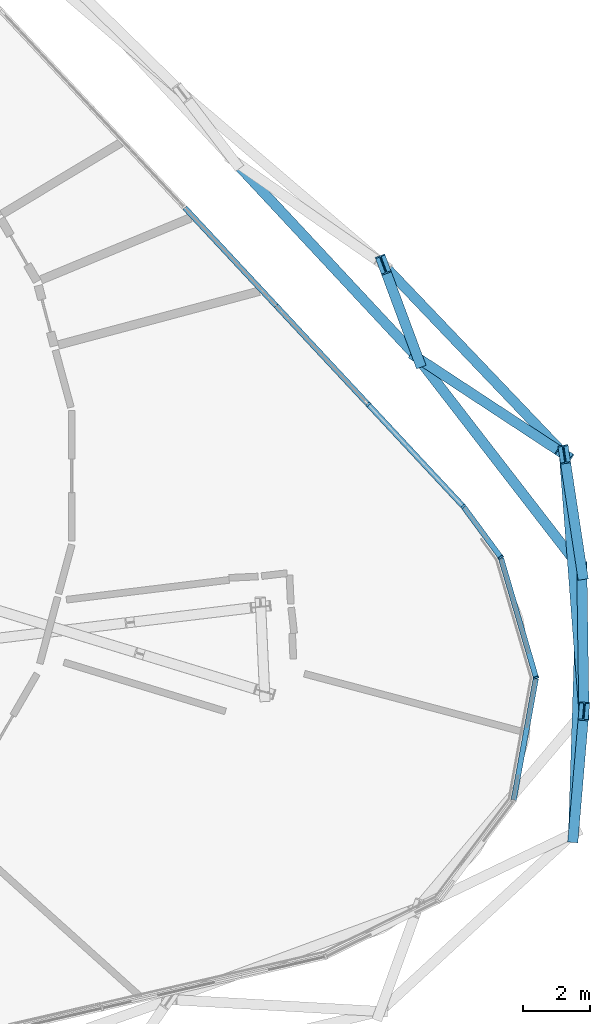
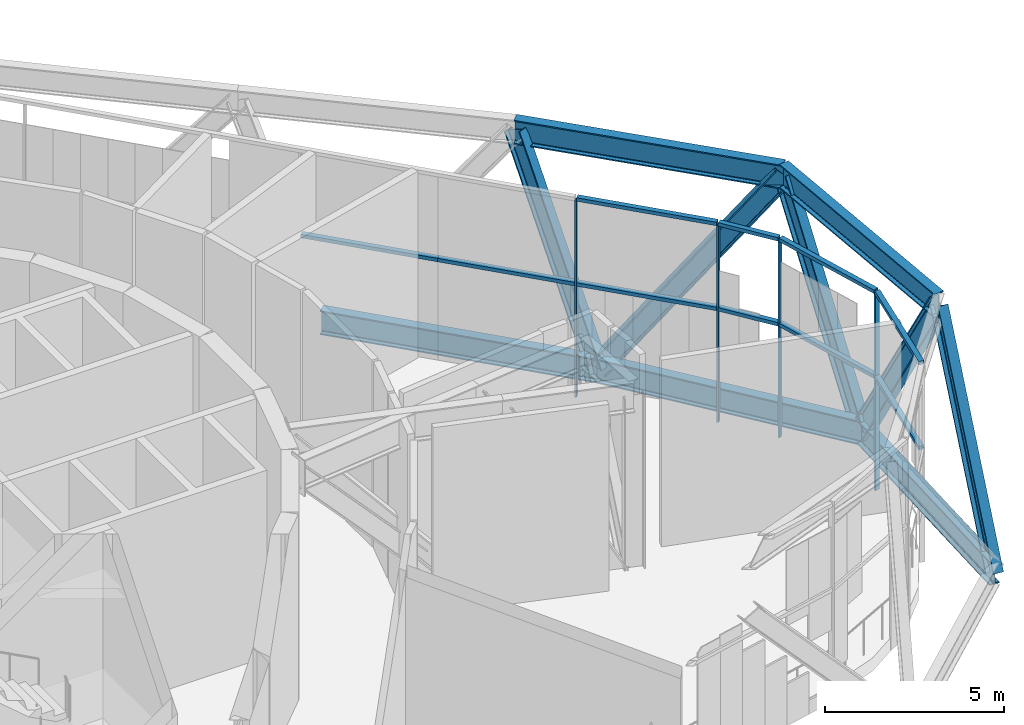
# One storey, part 6 of 25: 24 members, 2 elements without a shape of their own.
"""IFC4 building model written with IfcOpenShell, lengths in metres."""

from ifc_helpers import new_model, si_unit, direction, frame, origin, origin_2d, place, context, subcontext, project, spatial, rectangle, i_section, extrude, material, layer, layer_set, material_profile, profile_set, type_object, element, aggregate, save


model = new_model("IFC4")

# Units and contexts
model_context = context("Model", 3, precision=1e-05, world=origin(), true_north=direction((0.0, 1.0)))
body_context = subcontext(model_context, "Body", "Model", "MODEL_VIEW")
ifc_project = project(units=[si_unit("LENGTHUNIT", "METRE"), si_unit("AREAUNIT", "SQUARE_METRE"), si_unit("VOLUMEUNIT", "CUBIC_METRE"), si_unit("PLANEANGLEUNIT", "RADIAN"), si_unit("MASSUNIT", "GRAM", prefix="KILO")], contexts=[model_context])

# Site, building, storey
site_placement = place(None, origin())
site = spatial("IfcSite", under=ifc_project, at=site_placement, CompositionType="ELEMENT")
building_placement = place(site_placement, origin())
building = spatial("IfcBuilding", under=site, at=building_placement, Name="Spindle Arch Residences", CompositionType="ELEMENT")
storey_placement = place(building_placement, frame((0.0, 0.0, 144.89990234375)))
storey = spatial("IfcBuildingStorey", under=building, at=storey_placement, Name="L36", CompositionType="ELEMENT", Elevation=144.89990234375)

# Members
ifc_material_1 = material(Name="Steel S460ML, intumescent coating R 240", Category="steel")
ifc_material_profile_1 = material_profile(ifc_material_1, i_section(OverallWidth=0.302978515625, OverallDepth=0.81396484375, WebThickness=0.02099609375, FlangeThickness=0.0400390625, FilletRadius=0.030029296875, at=origin_2d()), Name="HEM 800")
ifc_profile_set_1 = profile_set([ifc_material_profile_1], Name="Steel S460ML, intumescent coating R 240")
member_type_1 = type_object("IfcMemberType", Name="Belt truss chord HEM 800", PredefinedType="CHORD", material=ifc_profile_set_1)
member_1_placement = place(storey_placement, frame((30.013916015625, -10.5712890625, -0.85693359375), z_axis=(0.031723115256, 0.999496695321, 0.0), x_axis=(-0.999496695321, 0.031723115256, 0.0)))
element("IfcMember", 1, at=member_1_placement, inside=storey, type_object=member_type_1, Name="Belt truss bottom chord L36.4", PredefinedType="CHORD", context=body_context, shape_type="SweptSolid", body=[
    extrude(i_section(OverallWidth=0.302978515625, OverallDepth=0.81396484375, WebThickness=0.02099609375, FlangeThickness=0.0400390625, FilletRadius=0.030029296875, at=origin_2d()), origin(), (0.0, 0.0, 1.0), 7.819091796875),
])
member_2_placement = place(storey_placement, frame((30.261962890625, -2.756103515625, -0.85693359375), z_axis=(-0.611302739976, 0.791396841097, 0.0), x_axis=(-0.791396841097, -0.611302739976, 0.0)))
element("IfcMember", 2, at=member_2_placement, inside=storey, type_object=member_type_1, Name="Belt truss bottom chord L36.5", PredefinedType="CHORD", context=body_context, shape_type="SweptSolid", body=[
    extrude(i_section(OverallWidth=0.302978515625, OverallDepth=0.81396484375, WebThickness=0.02099609375, FlangeThickness=0.0400390625, FilletRadius=0.030029296875, at=origin_2d()), origin(), (0.0, 0.0, 1.0), 7.96826171875),
])
member_3_placement = place(storey_placement, frame((25.390869140625, 3.550048828125, -0.85693359375), z_axis=(-0.681985586962, 0.731365612519, 0.0), x_axis=(-0.731365612519, -0.681985586962, 0.0)))
element("IfcMember", 3, at=member_3_placement, inside=storey, type_object=member_type_1, Name="Belt truss bottom chord L36.6", PredefinedType="CHORD", context=body_context, shape_type="SweptSolid", body=[
    extrude(i_section(OverallWidth=0.302978515625, OverallDepth=0.81396484375, WebThickness=0.02099609375, FlangeThickness=0.0400390625, FilletRadius=0.030029296875, at=origin_2d()), origin(), (0.0, 0.0, 1.0), 8.029296875),
])
member_4_placement = place(storey_placement, frame((30.322509765625, -6.948486328125, 5.943115234375), z_axis=(-0.076080099738, 0.997101709167, 0.0), x_axis=(-0.997101709167, -0.076080099738, 0.0)))
element("IfcMember", 4, at=member_4_placement, inside=storey, type_object=member_type_1, Name="Belt truss top chord L36.4", PredefinedType="CHORD", context=body_context, shape_type="SweptSolid", body=[
    extrude(i_section(OverallWidth=0.302978515625, OverallDepth=0.81396484375, WebThickness=0.02099609375, FlangeThickness=0.0400390625, FilletRadius=0.030029296875, at=origin_2d()), origin(), (0.0, 0.0, 1.0), 7.6630859375),
])
member_5_placement = place(storey_placement, frame((29.739501953125, 0.6923828125, 5.943115234375), z_axis=(-0.690455632803, 0.723374743222, 0.0), x_axis=(-0.723374743222, -0.690455632803, 0.0)))
element("IfcMember", 5, at=member_5_placement, inside=storey, type_object=member_type_1, Name="Belt truss top chord L36.5", PredefinedType="CHORD", context=body_context, shape_type="SweptSolid", body=[
    extrude(i_section(OverallWidth=0.302978515625, OverallDepth=0.81396484375, WebThickness=0.02099609375, FlangeThickness=0.0400390625, FilletRadius=0.030029296875, at=origin_2d()), origin(), (0.0, 0.0, 1.0), 7.794677734375),
])
ifc_material_2 = material(Name="Steel S460ML, intumescent coating R 240", Category="steel")
ifc_material_profile_2 = material_profile(ifc_material_2, i_section(OverallWidth=0.304931640625, OverallDepth=0.6201171875, WebThickness=0.02099609375, FlangeThickness=0.0400390625, FilletRadius=0.027099609375, at=origin_2d()), Name="HEM 600")
ifc_profile_set_2 = profile_set([ifc_material_profile_2], Name="Steel S460ML, intumescent coating R 240")
member_type_2 = type_object("IfcMemberType", Name="Belt truss diagonal HEM 600", PredefinedType="BRACE", material=ifc_profile_set_2)
member_6_placement = place(storey_placement, frame((30.013916015625, -10.5712890625, -0.85693359375), z_axis=(0.040019578016, 0.469818447927, 0.881855463987), x_axis=(-0.99639172738, 0.084873586051, 0.0)))
element("IfcMember", 6, at=member_6_placement, inside=storey, type_object=member_type_2, Name="Belt truss diagonal L36.4.4", PredefinedType="BRACE", context=body_context, shape_type="SweptSolid", body=[
    extrude(i_section(OverallWidth=0.304931640625, OverallDepth=0.6201171875, WebThickness=0.02099609375, FlangeThickness=0.0400390625, FilletRadius=0.027099609375, at=origin_2d()), origin(), (0.0, 0.0, 1.0), 7.711181640625),
])
member_7_placement = place(storey_placement, frame((30.261962890625, -2.756103515625, -0.85693359375), z_axis=(0.007579000916, -0.524784692472, 0.851201260157), x_axis=(0.999895728967, 0.014440609177, 0.0)))
element("IfcMember", 7, at=member_7_placement, inside=storey, type_object=member_type_2, Name="Belt truss diagonal L36.4.5", PredefinedType="BRACE", context=body_context, shape_type="SweptSolid", body=[
    extrude(i_section(OverallWidth=0.304931640625, OverallDepth=0.6201171875, WebThickness=0.02099609375, FlangeThickness=0.0400390625, FilletRadius=0.027099609375, at=origin_2d()), origin(), (0.0, 0.0, 1.0), 7.98876953125),
])
member_8_placement = place(storey_placement, frame((30.261962890625, -2.756103515625, -0.85693359375), z_axis=(-0.068363809505, 0.451233088438, 0.889783731841), x_axis=(-0.988717075034, -0.149795011722, 0.0)))
element("IfcMember", 8, at=member_8_placement, inside=storey, type_object=member_type_2, Name="Belt truss diagonal L36.5.5", PredefinedType="BRACE", context=body_context, shape_type="SweptSolid", body=[
    extrude(i_section(OverallWidth=0.304931640625, OverallDepth=0.6201171875, WebThickness=0.02099609375, FlangeThickness=0.0400390625, FilletRadius=0.027099609375, at=origin_2d()), origin(), (0.0, 0.0, 1.0), 7.642333984375),
])
member_9_placement = place(storey_placement, frame((25.390869140625, 3.550048828125, -0.85693359375), z_axis=(0.507865645694, -0.333739466811, 0.794160219487), x_axis=(0.549176950437, 0.835706094933, 0.0)))
element("IfcMember", 9, at=member_9_placement, inside=storey, type_object=member_type_2, Name="Belt truss diagonal L36.5.6", PredefinedType="BRACE", context=body_context, shape_type="SweptSolid", body=[
    extrude(i_section(OverallWidth=0.304931640625, OverallDepth=0.6201171875, WebThickness=0.02099609375, FlangeThickness=0.0400390625, FilletRadius=0.027099609375, at=origin_2d()), origin(), (0.0, 0.0, 1.0), 8.5625),
])
member_10_placement = place(storey_placement, frame((25.390869140625, 3.550048828125, -0.85693359375), z_axis=(-0.139265424962, 0.374818806786, 0.916578421898), x_axis=(-0.937386891551, -0.348289844165, 0.0)))
element("IfcMember", 10, at=member_10_placement, inside=storey, type_object=member_type_2, Name="Belt truss diagonal L36.6.6", PredefinedType="BRACE", context=body_context, shape_type="SweptSolid", body=[
    extrude(i_section(OverallWidth=0.304931640625, OverallDepth=0.6201171875, WebThickness=0.02099609375, FlangeThickness=0.0400390625, FilletRadius=0.027099609375, at=origin_2d()), origin(), (0.0, 0.0, 1.0), 7.4189453125),
])

# Curtain wall, members
ifc_material_3 = material(Name="Aluminium bronze unitised frame with tinted glass", Category="aluminium")
ifc_layer = layer(ifc_material_3, 0.159912109375)
ifc_layer_set = layer_set([ifc_layer], Name="CW-E double-height winter garden wall")
curtain_wall_type = type_object("IfcCurtainWallType", Name="CW-E double-height winter garden wall", PredefinedType="NOTDEFINED", material=ifc_layer_set)
curtain_wall_1_placement = place(storey_placement, origin())
curtain_wall_1 = element("IfcCurtainWall", 11, at=curtain_wall_1_placement, inside=storey, type_object=curtain_wall_type, Name="CW-E L36 run 1", PredefinedType="NOTDEFINED")
ifc_material_4 = material(Name="Aluminium bronze anodised mullion", Category="aluminium")
ifc_material_profile_3 = material_profile(ifc_material_4, rectangle(XDim=0.159912109375, YDim=0.06005859375, at=origin_2d()), Name="MU 60x160")
ifc_profile_set_3 = profile_set([ifc_material_profile_3], Name="Aluminium bronze anodised mullion")
member_type_3 = type_object("IfcMemberType", Name="Bronze mullion 60x160", PredefinedType="MULLION", material=ifc_profile_set_3)
member_11_placement = place(storey_placement, frame((28.89892578125, -5.945556640625, -0.449951171875), z_axis=(0.0, 0.0, 1.0), x_axis=(-0.959641844554, -0.281225052549, 0.0)))
member_11 = element("IfcMember", 12, at=member_11_placement, type_object=member_type_3, Name="CW-E mullion 04", PredefinedType="MULLION", context=body_context, shape_type="SweptSolid", body=[
    extrude(rectangle(XDim=0.159912109375, YDim=0.06005859375, at=origin_2d()), origin(), (0.0, 0.0, 1.0), 6.679931640625),
])
member_12_placement = place(storey_placement, frame((27.850830078125, -2.369140625, -0.449951171875), z_axis=(0.0, 0.0, 1.0), x_axis=(-0.805583724819, -0.592481951039, 0.0)))
member_12 = element("IfcMember", 13, at=member_12_placement, type_object=member_type_3, Name="CW-E mullion 05", PredefinedType="MULLION", context=body_context, shape_type="SweptSolid", body=[
    extrude(rectangle(XDim=0.159912109375, YDim=0.06005859375, at=origin_2d()), origin(), (0.0, 0.0, 1.0), 6.679931640625),
])
member_13_placement = place(storey_placement, frame((26.7392578125, -0.85791015625, -0.449951171875), z_axis=(0.0, 0.0, 1.0), x_axis=(-0.731353701619, -0.681998360062, 0.0)))
member_13 = element("IfcMember", 14, at=member_13_placement, type_object=member_type_3, Name="CW-E mullion 06", PredefinedType="MULLION", context=body_context, shape_type="SweptSolid", body=[
    extrude(rectangle(XDim=0.159912109375, YDim=0.06005859375, at=origin_2d()), origin(), (0.0, 0.0, 1.0), 6.679931640625),
])

# Curtain wall, member
curtain_wall_2_placement = place(storey_placement, origin())
curtain_wall_2 = element("IfcCurtainWall", 15, at=curtain_wall_2_placement, inside=storey, type_object=curtain_wall_type, Name="CW-E L36 run 2", PredefinedType="NOTDEFINED")
member_14_placement = place(storey_placement, frame((23.91357421875, 2.172607421875, -0.449951171875), z_axis=(0.0, 0.0, 1.0), x_axis=(-0.731353701619, -0.681998360062, 0.0)))
member_14 = element("IfcMember", 16, at=member_14_placement, type_object=member_type_3, Name="CW-E mullion 05", PredefinedType="MULLION", context=body_context, shape_type="SweptSolid", body=[
    extrude(rectangle(XDim=0.159912109375, YDim=0.06005859375, at=origin_2d()), origin(), (0.0, 0.0, 1.0), 6.679931640625),
])

# Member
ifc_material_5 = material(Name="Aluminium bronze anodised transom", Category="aluminium")
ifc_material_profile_4 = material_profile(ifc_material_5, rectangle(XDim=0.159912109375, YDim=0.1201171875, at=origin_2d()), Name="TR 120x160")
ifc_profile_set_4 = profile_set([ifc_material_profile_4], Name="Aluminium bronze anodised transom")
member_type_4 = type_object("IfcMemberType", Name="Bronze transom 120x160", PredefinedType="USERDEFINED", material=ifc_profile_set_4)
member_15_placement = place(storey_placement, frame((28.23583984375, -9.582275390625, 6.2900390625), z_axis=(0.179377605594, 0.983780297938, 0.0), x_axis=(-0.983780297938, 0.179377605594, 0.0)))
member_15 = element("IfcMember", 17, at=member_15_placement, type_object=member_type_4, Name="CW-E transom 03", ObjectType="TRANSOM", PredefinedType="USERDEFINED", context=body_context, shape_type="SweptSolid", body=[
    extrude(rectangle(XDim=0.159912109375, YDim=0.1201171875, at=origin_2d()), origin(), (0.0, 0.0, 1.0), 3.666748046875),
])

member_16_placement = place(storey_placement, frame((28.23583984375, -9.582275390625, 3.400146484375), z_axis=(0.179377605594, 0.983780297938, 0.0), x_axis=(-0.983780297938, 0.179377605594, 0.0)))
member_16 = element("IfcMember", 18, at=member_16_placement, type_object=member_type_4, Name="CW-E transom 03m", ObjectType="TRANSOM", PredefinedType="USERDEFINED", context=body_context, shape_type="SweptSolid", body=[
    extrude(rectangle(XDim=0.159912109375, YDim=0.1201171875, at=origin_2d()), origin(), (0.0, 0.0, 1.0), 3.666748046875),
])

member_17_placement = place(storey_placement, frame((28.890625, -5.916748046875, 6.2900390625), z_axis=(-0.281239778168, 0.959637529058, 0.0), x_axis=(-0.959637529058, -0.281239778168, 0.0)))
member_17 = element("IfcMember", 19, at=member_17_placement, type_object=member_type_4, Name="CW-E transom 04", ObjectType="TRANSOM", PredefinedType="USERDEFINED", context=body_context, shape_type="SweptSolid", body=[
    extrude(rectangle(XDim=0.159912109375, YDim=0.1201171875, at=origin_2d()), origin(), (0.0, 0.0, 1.0), 3.666748046875),
])

member_18_placement = place(storey_placement, frame((28.890625, -5.916748046875, 3.400146484375), z_axis=(-0.281239778168, 0.959637529058, 0.0), x_axis=(-0.959637529058, -0.281239778168, 0.0)))
member_18 = element("IfcMember", 20, at=member_18_placement, type_object=member_type_4, Name="CW-E transom 04m", ObjectType="TRANSOM", PredefinedType="USERDEFINED", context=body_context, shape_type="SweptSolid", body=[
    extrude(rectangle(XDim=0.159912109375, YDim=0.1201171875, at=origin_2d()), origin(), (0.0, 0.0, 1.0), 3.666748046875),
])

member_19_placement = place(storey_placement, frame((27.833251953125, -2.344970703125, 6.2900390625), z_axis=(-0.592575212526, 0.805515125557, 0.0), x_axis=(-0.805515125557, -0.592575212526, 0.0)))
member_19 = element("IfcMember", 21, at=member_19_placement, type_object=member_type_4, Name="CW-E transom 05", ObjectType="TRANSOM", PredefinedType="USERDEFINED", context=body_context, shape_type="SweptSolid", body=[
    extrude(rectangle(XDim=0.159912109375, YDim=0.1201171875, at=origin_2d()), origin(), (0.0, 0.0, 1.0), 1.816162109375),
])

member_20_placement = place(storey_placement, frame((27.833251953125, -2.344970703125, 3.400146484375), z_axis=(-0.592575212526, 0.805515125557, 0.0), x_axis=(-0.805515125557, -0.592575212526, 0.0)))
member_20 = element("IfcMember", 22, at=member_20_placement, type_object=member_type_4, Name="CW-E transom 05m", ObjectType="TRANSOM", PredefinedType="USERDEFINED", context=body_context, shape_type="SweptSolid", body=[
    extrude(rectangle(XDim=0.159912109375, YDim=0.1201171875, at=origin_2d()), origin(), (0.0, 0.0, 1.0), 1.816162109375),
])

member_21_placement = place(storey_placement, frame((26.718994140625, -0.8359375, 6.2900390625), z_axis=(-0.681983744213, 0.731367330846, 0.0), x_axis=(-0.731367330846, -0.681983744213, 0.0)))
member_21 = element("IfcMember", 23, at=member_21_placement, type_object=member_type_4, Name="CW-E transom 06", ObjectType="TRANSOM", PredefinedType="USERDEFINED", context=body_context, shape_type="SweptSolid", body=[
    extrude(rectangle(XDim=0.159912109375, YDim=0.1201171875, at=origin_2d()), origin(), (0.0, 0.0, 1.0), 4.08349609375),
])

member_22_placement = place(storey_placement, frame((26.718994140625, -0.8359375, 3.400146484375), z_axis=(-0.681983744213, 0.731367330846, 0.0), x_axis=(-0.731367330846, -0.681983744213, 0.0)))
member_22 = element("IfcMember", 24, at=member_22_placement, type_object=member_type_4, Name="CW-E transom 06m", ObjectType="TRANSOM", PredefinedType="USERDEFINED", context=body_context, shape_type="SweptSolid", body=[
    extrude(rectangle(XDim=0.159912109375, YDim=0.1201171875, at=origin_2d()), origin(), (0.0, 0.0, 1.0), 4.08349609375),
])

aggregate(curtain_wall_1, [member_15, member_16, member_11, member_17, member_18, member_12, member_19, member_20, member_13, member_21, member_22])

member_23_placement = place(storey_placement, frame((23.89306640625, 2.1943359375, 3.400146484375), z_axis=(-0.681984183575, 0.731366921151, 0.0), x_axis=(-0.731366921151, -0.681984183575, 0.0)))
member_23 = element("IfcMember", 25, at=member_23_placement, type_object=member_type_4, Name="CW-E transom 05Am", ObjectType="TRANSOM", PredefinedType="USERDEFINED", context=body_context, shape_type="SweptSolid", body=[
    extrude(rectangle(XDim=0.159912109375, YDim=0.1201171875, at=origin_2d()), origin(), (0.0, 0.0, 1.0), 3.984619140625),
])

member_24_placement = place(storey_placement, frame((21.175537109375, 5.108642578125, 3.400146484375), z_axis=(-0.681981970537, 0.731368984756, 0.0), x_axis=(-0.731368984756, -0.681981970537, 0.0)))
member_24 = element("IfcMember", 26, at=member_24_placement, type_object=member_type_4, Name="CW-E transom 05Bm", ObjectType="TRANSOM", PredefinedType="USERDEFINED", context=body_context, shape_type="SweptSolid", body=[
    extrude(rectangle(XDim=0.159912109375, YDim=0.1201171875, at=origin_2d()), origin(), (0.0, 0.0, 1.0), 3.984375),
])

aggregate(curtain_wall_2, [member_14, member_23, member_24])

save(model, "model.ifc")
